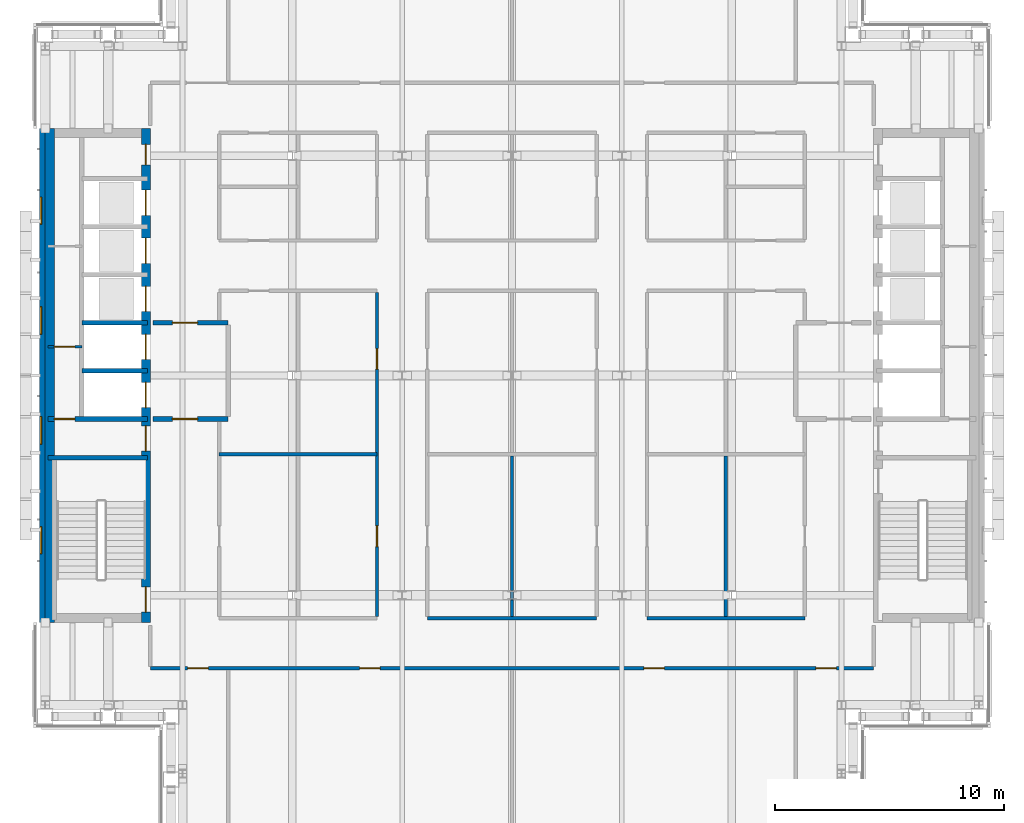
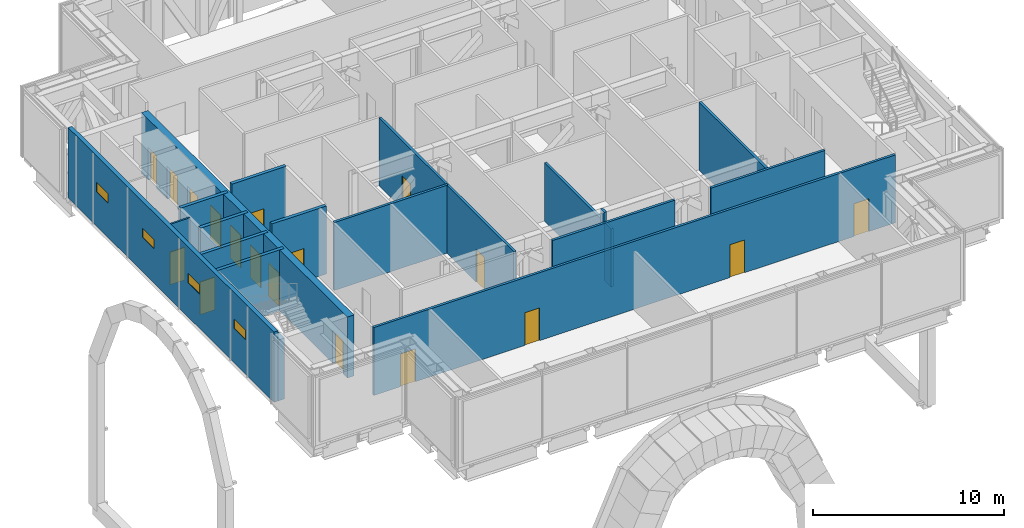
# One storey, part 11 of 26: 19 walls, 18 doors, 4 windows, 22 openings.
"""IFC4 building model written with IfcOpenShell, lengths in metres."""

from ifc_helpers import new_model, si_unit, direction, frame, frame_2d, origin, place, context, subcontext, project, spatial, rectangle, extrude, material, layer, layer_set, type_object, element, fill, save


model = new_model("IFC4")

# Units and contexts
model_context = context("Model", 3, precision=1e-05, world=origin(), true_north=direction((0.0, 1.0)))
body_context = subcontext(model_context, "Body", "Model", "MODEL_VIEW")
ifc_project = project(units=[si_unit("LENGTHUNIT", "METRE"), si_unit("AREAUNIT", "SQUARE_METRE"), si_unit("VOLUMEUNIT", "CUBIC_METRE"), si_unit("PLANEANGLEUNIT", "RADIAN"), si_unit("MASSUNIT", "GRAM", prefix="KILO")], contexts=[model_context])

# Site, building, storey
site_placement = place(None, origin())
site = spatial("IfcSite", under=ifc_project, at=site_placement, CompositionType="ELEMENT")
building_placement = place(site_placement, origin())
building = spatial("IfcBuilding", under=site, at=building_placement, Name="Cobrizo Arcos Hotel Tower", CompositionType="ELEMENT")
storey_placement = place(building_placement, frame((0.0, 0.0, 236.5)))
storey = spatial("IfcBuildingStorey", under=building, at=storey_placement, Name="L62", CompositionType="ELEMENT", Elevation=236.5)

# Wall, openings, doors
ifc_material_1 = material(Name="Gypsum board partition")
ifc_layer_1 = layer(ifc_material_1, 0.14990234375)
ifc_layer_set_1 = layer_set([ifc_layer_1], Name="Corridor wall EI 60 150")
wall_type_1 = type_object("IfcWallType", Name="Corridor wall EI 60 150", PredefinedType="PARTITIONING", material=ifc_layer_set_1)
wall_1_placement = place(storey_placement, frame((-15.800048828125, -12.800048828125, 0.0), z_axis=(0.0, 0.0, 1.0), x_axis=(1.0, 0.0, 0.0)))
wall_1 = element("IfcWall", 1, at=wall_1_placement, inside=storey, type_object=wall_type_1, Name="Partition 001", PredefinedType="PARTITIONING", context=body_context, shape_type="SweptSolid", body=[
    extrude(rectangle(XDim=31.60009765625, YDim=0.14990234375, at=frame_2d((15.800048828125, 0.0))), origin(), (0.0, 0.0, 1.0), 4.35009765625),
])
opening_1_placement = place(wall_1_placement, frame((9.14208984375, 0.0, 0.0)))
opening_1 = element("IfcOpeningElement", 2, at=opening_1_placement, cuts=wall_1, Name="Opening RD-11", PredefinedType="OPENING", context=body_context, shape_type="SweptSolid", body=[
    extrude(rectangle(XDim=0.89990234375, YDim=2.10009765625, at=frame_2d((0.449951171875, 1.050048828125))), frame((0.0, 0.0869140625, 0.0), z_axis=(0.0, -1.0, 0.0), x_axis=(1.0, 0.0, 0.0)), (0.0, 0.0, 1.0), 0.173828125),
])
opening_2_placement = place(wall_1_placement, frame((21.55908203125, 0.0, 0.0)))
opening_2 = element("IfcOpeningElement", 3, at=opening_2_placement, cuts=wall_1, Name="Opening RD-12", PredefinedType="OPENING", context=body_context, shape_type="SweptSolid", body=[
    extrude(rectangle(XDim=0.89990234375, YDim=2.10009765625, at=frame_2d((0.449951171875, 1.050048828125))), frame((0.0, 0.0869140625, 0.0), z_axis=(0.0, -1.0, 0.0), x_axis=(1.0, 0.0, 0.0)), (0.0, 0.0, 1.0), 0.173828125),
])
opening_3_placement = place(wall_1_placement, frame((1.6298828125, 0.0, 0.0)))
opening_3 = element("IfcOpeningElement", 4, at=opening_3_placement, cuts=wall_1, Name="Opening RD-13", PredefinedType="OPENING", context=body_context, shape_type="SweptSolid", body=[
    extrude(rectangle(XDim=0.89990234375, YDim=2.10009765625, at=frame_2d((0.449951171875, 1.050048828125))), frame((0.0, 0.0869140625, 0.0), z_axis=(0.0, -1.0, 0.0), x_axis=(1.0, 0.0, 0.0)), (0.0, 0.0, 1.0), 0.173828125),
])
opening_4_placement = place(wall_1_placement, frame((29.080078125, 0.0, 0.0)))
opening_4 = element("IfcOpeningElement", 5, at=opening_4_placement, cuts=wall_1, Name="Opening RD-14", PredefinedType="OPENING", context=body_context, shape_type="SweptSolid", body=[
    extrude(rectangle(XDim=0.89990234375, YDim=2.10009765625, at=frame_2d((0.449951171875, 1.050048828125))), frame((0.0, 0.0869140625, 0.0), z_axis=(0.0, -1.0, 0.0), x_axis=(1.0, 0.0, 0.0)), (0.0, 0.0, 1.0), 0.173828125),
])
ifc_material_2 = material(Name="Timber door leaf", Category="wood")
door_type_1 = type_object("IfcDoorType", Name="Room door FD30 900x2100", OperationType="SINGLE_SWING_LEFT", PredefinedType="DOOR", material=ifc_material_2)
door_1_placement = place(opening_1_placement, origin())
door_1 = element("IfcDoor", 6, at=door_1_placement, inside=storey, type_object=door_type_1, Name="Door RD-11", OperationType="SINGLE_SWING_RIGHT", OverallHeight=2.10009765625, OverallWidth=0.89990234375, PredefinedType="DOOR", context=body_context, shape_type="SweptSolid", body=[
    extrude(rectangle(XDim=0.89990234375, YDim=2.10009765625, at=frame_2d((0.449951171875, 1.050048828125))), frame((0.0, 0.02490234375, 0.0), z_axis=(0.0, -1.0, 0.0), x_axis=(1.0, 0.0, 0.0)), (0.0, 0.0, 1.0), 0.050048828125),
])
fill(opening_1, door_1)
door_2_placement = place(opening_2_placement, origin())
door_2 = element("IfcDoor", 7, at=door_2_placement, inside=storey, type_object=door_type_1, Name="Door RD-12", OperationType="SINGLE_SWING_LEFT", OverallHeight=2.10009765625, OverallWidth=0.89990234375, PredefinedType="DOOR", context=body_context, shape_type="SweptSolid", body=[
    extrude(rectangle(XDim=0.89990234375, YDim=2.10009765625, at=frame_2d((0.449951171875, 1.050048828125))), frame((0.0, 0.02490234375, 0.0), z_axis=(0.0, -1.0, 0.0), x_axis=(1.0, 0.0, 0.0)), (0.0, 0.0, 1.0), 0.050048828125),
])
fill(opening_2, door_2)
door_3_placement = place(opening_3_placement, origin())
door_3 = element("IfcDoor", 8, at=door_3_placement, inside=storey, type_object=door_type_1, Name="Door RD-13", OperationType="SINGLE_SWING_RIGHT", OverallHeight=2.10009765625, OverallWidth=0.89990234375, PredefinedType="DOOR", context=body_context, shape_type="SweptSolid", body=[
    extrude(rectangle(XDim=0.89990234375, YDim=2.10009765625, at=frame_2d((0.449951171875, 1.050048828125))), frame((0.0, 0.02490234375, 0.0), z_axis=(0.0, -1.0, 0.0), x_axis=(1.0, 0.0, 0.0)), (0.0, 0.0, 1.0), 0.050048828125),
])
fill(opening_3, door_3)
door_4_placement = place(opening_4_placement, origin())
door_4 = element("IfcDoor", 9, at=door_4_placement, inside=storey, type_object=door_type_1, Name="Door RD-14", OperationType="SINGLE_SWING_RIGHT", OverallHeight=2.10009765625, OverallWidth=0.89990234375, PredefinedType="DOOR", context=body_context, shape_type="SweptSolid", body=[
    extrude(rectangle(XDim=0.89990234375, YDim=2.10009765625, at=frame_2d((0.449951171875, 1.050048828125))), frame((0.0, 0.02490234375, 0.0), z_axis=(0.0, -1.0, 0.0), x_axis=(1.0, 0.0, 0.0)), (0.0, 0.0, 1.0), 0.050048828125),
])
fill(opening_4, door_4)

# Walls
wall_2_placement = place(storey_placement, frame((-3.699951171875, -10.60009765625, 0.0), z_axis=(0.0, 0.0, 1.0), x_axis=(1.0, 0.0, 0.0)))
element("IfcWall", 10, at=wall_2_placement, inside=storey, type_object=wall_type_1, Name="Partition 003", PredefinedType="PARTITIONING", context=body_context, shape_type="SweptSolid", body=[
    extrude(rectangle(XDim=7.39990234375, YDim=0.14990234375, at=frame_2d((3.699951171875, 0.0))), origin(), (0.0, 0.0, 1.0), 4.35009765625),
])
for number, where, z_axis, x_axis, name in (
    (11, (5.89990234375, -10.60009765625, 0.0), (0.0, 0.0, 1.0), (1.0, 0.0, 0.0), "Partition 004"),
    (12, (-12.800048828125, -3.449951171875, 0.0), (0.0, 0.0, 1.0), (1.0, 0.0, 0.0), "Partition 007"),
):
    element("IfcWall", number, at=place(storey_placement, frame(where, z_axis=z_axis, x_axis=x_axis)), inside=storey, type_object=wall_type_1, Name=name, PredefinedType="PARTITIONING", context=body_context, shape_type="SweptSolid", body=[
        extrude(rectangle(XDim=6.900146484375, YDim=0.14990234375, at=frame_2d((3.4501953125, 0.0))), origin(), (0.0, 0.0, 1.0), 4.35009765625),
    ])

# Wall, openings, doors
wall_3_placement = place(storey_placement, frame((-5.89990234375, -10.52490234375, 0.0), z_axis=(0.0, 0.0, 1.0), x_axis=(0.0, 1.0, 0.0)))
wall_3 = element("IfcWall", 13, at=wall_3_placement, inside=storey, type_object=wall_type_1, Name="Partition 055", PredefinedType="PARTITIONING", context=body_context, shape_type="SweptSolid", body=[
    extrude(rectangle(XDim=14.14990234375, YDim=0.14990234375, at=frame_2d((7.074951171875, 0.0))), origin(), (0.0, 0.0, 1.0), 4.35009765625),
])
opening_5_placement = place(wall_3_placement, frame((3.050048828125, 0.0, 0.0)))
opening_5 = element("IfcOpeningElement", 14, at=opening_5_placement, cuts=wall_3, Name="Opening RD-30", PredefinedType="OPENING", context=body_context, shape_type="SweptSolid", body=[
    extrude(rectangle(XDim=0.89990234375, YDim=2.10009765625, at=frame_2d((0.449951171875, 1.050048828125))), frame((0.0, 0.0869140625, 0.0), z_axis=(0.0, -1.0, 0.0), x_axis=(1.0, 0.0, 0.0)), (0.0, 0.0, 1.0), 0.173828125),
])
opening_6_placement = place(wall_3_placement, frame((10.800048828125, 0.0, 0.0)))
opening_6 = element("IfcOpeningElement", 15, at=opening_6_placement, cuts=wall_3, Name="Opening RD-31", PredefinedType="OPENING", context=body_context, shape_type="SweptSolid", body=[
    extrude(rectangle(XDim=0.89990234375, YDim=2.10009765625, at=frame_2d((0.449951171875, 1.050048828125))), frame((0.0, 0.0869140625, 0.0), z_axis=(0.0, -1.0, 0.0), x_axis=(1.0, 0.0, 0.0)), (0.0, 0.0, 1.0), 0.173828125),
])
door_5_placement = place(opening_5_placement, origin())
door_5 = element("IfcDoor", 16, at=door_5_placement, inside=storey, type_object=door_type_1, Name="Door RD-30", OperationType="SINGLE_SWING_LEFT", OverallHeight=2.10009765625, OverallWidth=0.89990234375, PredefinedType="DOOR", context=body_context, shape_type="SweptSolid", body=[
    extrude(rectangle(XDim=0.89990234375, YDim=2.10009765625, at=frame_2d((0.449951171875, 1.050048828125))), frame((0.0, 0.02490234375, 0.0), z_axis=(0.0, -1.0, 0.0), x_axis=(1.0, 0.0, 0.0)), (0.0, 0.0, 1.0), 0.050048828125),
])
fill(opening_5, door_5)
door_6_placement = place(opening_6_placement, origin())
door_6 = element("IfcDoor", 17, at=door_6_placement, inside=storey, type_object=door_type_1, Name="Door RD-31", OperationType="SINGLE_SWING_LEFT", OverallHeight=2.10009765625, OverallWidth=0.89990234375, PredefinedType="DOOR", context=body_context, shape_type="SweptSolid", body=[
    extrude(rectangle(XDim=0.89990234375, YDim=2.10009765625, at=frame_2d((0.449951171875, 1.050048828125))), frame((0.0, 0.02490234375, 0.0), z_axis=(0.0, -1.0, 0.0), x_axis=(1.0, 0.0, 0.0)), (0.0, 0.0, 1.0), 0.050048828125),
])
fill(opening_6, door_6)

# Walls
wall_4_placement = place(storey_placement, frame((0.0, -10.52490234375, 0.0), z_axis=(0.0, 0.0, 1.0), x_axis=(0.0, 1.0, 0.0)))
element("IfcWall", 18, at=wall_4_placement, inside=storey, type_object=wall_type_1, Name="Partition 060", PredefinedType="PARTITIONING", context=body_context, shape_type="SweptSolid", body=[
    extrude(rectangle(XDim=0.724853515625, YDim=0.14990234375, at=frame_2d((0.3623046875, 0.0))), origin(), (0.0, 0.0, 1.0), 3.72802734375),
])
wall_5_placement = place(storey_placement, frame((0.0, -9.800048828125, 0.0), z_axis=(0.0, 0.0, 1.0), x_axis=(0.0, 1.0, 0.0)))
element("IfcWall", 19, at=wall_5_placement, inside=storey, type_object=wall_type_1, Name="Partition 061", PredefinedType="PARTITIONING", context=body_context, shape_type="SweptSolid", body=[
    extrude(rectangle(XDim=0.401123046875, YDim=0.14990234375, at=frame_2d((0.20068359375, 0.0))), origin(), (0.0, 0.0, 1.0), 4.35009765625),
])
wall_6_placement = place(storey_placement, frame((0.0, -9.39892578125, 0.0), z_axis=(0.0, 0.0, 1.0), x_axis=(0.0, 1.0, 0.0)))
element("IfcWall", 20, at=wall_6_placement, inside=storey, type_object=wall_type_1, Name="Partition 062", PredefinedType="PARTITIONING", context=body_context, shape_type="SweptSolid", body=[
    extrude(rectangle(XDim=5.8740234375, YDim=0.14990234375, at=frame_2d((2.93701171875, 0.0))), origin(), (0.0, 0.0, 1.0), 3.72802734375),
])
wall_7_placement = place(storey_placement, frame((9.35009765625, -10.52490234375, 0.0), z_axis=(0.0, 0.0, 1.0), x_axis=(0.0, 1.0, 0.0)))
element("IfcWall", 21, at=wall_7_placement, inside=storey, type_object=wall_type_1, Name="Partition 074", PredefinedType="PARTITIONING", context=body_context, shape_type="SweptSolid", body=[
    extrude(rectangle(XDim=7.0, YDim=0.14990234375, at=frame_2d((3.5, 0.0))), origin(), (0.0, 0.0, 1.0), 4.35009765625),
])

# Wall, openings, windows
ifc_material_3 = material(Name="Aluminium composite panel pale metal", Category="aluminium")
ifc_layer_2 = layer(ifc_material_3, 0.25)
ifc_layer_set_2 = layer_set([ifc_layer_2], Name="EW-1 insulated panel wall 250")
wall_type_2 = type_object("IfcWallType", Name="EW-1 insulated panel wall 250", PredefinedType="SOLIDWALL", material=ifc_layer_set_2)
wall_8_placement = place(storey_placement, frame((-20.52490234375, 10.800048828125, 0.0), z_axis=(0.0, 0.0, 1.0), x_axis=(0.0, -1.0, 0.0)))
wall_8 = element("IfcWall", 22, at=wall_8_placement, inside=storey, type_object=wall_type_2, Name="Core face wall L62 W", PredefinedType="SOLIDWALL", context=body_context, shape_type="SweptSolid", body=[
    extrude(rectangle(XDim=21.60009765625, YDim=0.25, at=frame_2d((10.800048828125, 0.0))), origin(), (0.0, 0.0, 1.0), 4.5),
])
opening_7_placement = place(wall_8_placement, frame((3.0, 0.0, 2.199951171875)))
opening_7 = element("IfcOpeningElement", 23, at=opening_7_placement, cuts=wall_8, Name="Opening W-141", PredefinedType="OPENING", context=body_context, shape_type="SweptSolid", body=[
    extrude(rectangle(XDim=1.199951171875, YDim=0.60009765625, at=frame_2d((0.60009765625, 0.300048828125))), frame((0.0, 0.136962890625, 0.0), z_axis=(0.0, -1.0, 0.0), x_axis=(1.0, 0.0, 0.0)), (0.0, 0.0, 1.0), 0.27392578125),
])
opening_8_placement = place(wall_8_placement, frame((7.800048828125, 0.0, 2.199951171875)))
opening_8 = element("IfcOpeningElement", 24, at=opening_8_placement, cuts=wall_8, Name="Opening W-142", PredefinedType="OPENING", context=body_context, shape_type="SweptSolid", body=[
    extrude(rectangle(XDim=1.199951171875, YDim=0.60009765625, at=frame_2d((0.60009765625, 0.300048828125))), frame((0.0, 0.136962890625, 0.0), z_axis=(0.0, -1.0, 0.0), x_axis=(1.0, 0.0, 0.0)), (0.0, 0.0, 1.0), 0.27392578125),
])
opening_9_placement = place(wall_8_placement, frame((12.60009765625, 0.0, 2.199951171875)))
opening_9 = element("IfcOpeningElement", 25, at=opening_9_placement, cuts=wall_8, Name="Opening W-143", PredefinedType="OPENING", context=body_context, shape_type="SweptSolid", body=[
    extrude(rectangle(XDim=1.199951171875, YDim=0.60009765625, at=frame_2d((0.60009765625, 0.300048828125))), frame((0.0, 0.136962890625, 0.0), z_axis=(0.0, -1.0, 0.0), x_axis=(1.0, 0.0, 0.0)), (0.0, 0.0, 1.0), 0.27392578125),
])
opening_10_placement = place(wall_8_placement, frame((17.39990234375, 0.0, 2.199951171875)))
opening_10 = element("IfcOpeningElement", 26, at=opening_10_placement, cuts=wall_8, Name="Opening W-144", PredefinedType="OPENING", context=body_context, shape_type="SweptSolid", body=[
    extrude(rectangle(XDim=1.199951171875, YDim=0.60009765625, at=frame_2d((0.60009765625, 0.300048828125))), frame((0.0, 0.136962890625, 0.0), z_axis=(0.0, -1.0, 0.0), x_axis=(1.0, 0.0, 0.0)), (0.0, 0.0, 1.0), 0.27392578125),
])
ifc_material_4 = material(Name="Aluminium 6063-T6 and clear laminated glass", Category="aluminium")
window_type = type_object("IfcWindowType", Name="W-S1 plant smoke-vent window 1200x600", PartitioningType="SINGLE_PANEL", PredefinedType="WINDOW", material=ifc_material_4)
window_1_placement = place(opening_7_placement, origin())
window_1 = element("IfcWindow", 27, at=window_1_placement, inside=storey, type_object=window_type, Name="Core face wall L62 W window W-141", OverallHeight=0.60009765625, OverallWidth=1.199951171875, PartitioningType="SINGLE_PANEL", PredefinedType="WINDOW", context=body_context, shape_type="SweptSolid", body=[
    extrude(rectangle(XDim=1.199951171875, YDim=0.60009765625, at=frame_2d((0.60009765625, 0.300048828125))), frame((0.0, -0.034912109375, 0.0), z_axis=(0.0, -1.0, 0.0), x_axis=(1.0, 0.0, 0.0)), (0.0, 0.0, 1.0), 0.06005859375),
])
fill(opening_7, window_1)
window_2_placement = place(opening_8_placement, origin())
window_2 = element("IfcWindow", 28, at=window_2_placement, inside=storey, type_object=window_type, Name="Core face wall L62 W window W-142", OverallHeight=0.60009765625, OverallWidth=1.199951171875, PartitioningType="SINGLE_PANEL", PredefinedType="WINDOW", context=body_context, shape_type="SweptSolid", body=[
    extrude(rectangle(XDim=1.199951171875, YDim=0.60009765625, at=frame_2d((0.60009765625, 0.300048828125))), frame((0.0, -0.034912109375, 0.0), z_axis=(0.0, -1.0, 0.0), x_axis=(1.0, 0.0, 0.0)), (0.0, 0.0, 1.0), 0.06005859375),
])
fill(opening_8, window_2)
window_3_placement = place(opening_9_placement, origin())
window_3 = element("IfcWindow", 29, at=window_3_placement, inside=storey, type_object=window_type, Name="Core face wall L62 W window W-143", OverallHeight=0.60009765625, OverallWidth=1.199951171875, PartitioningType="SINGLE_PANEL", PredefinedType="WINDOW", context=body_context, shape_type="SweptSolid", body=[
    extrude(rectangle(XDim=1.199951171875, YDim=0.60009765625, at=frame_2d((0.60009765625, 0.300048828125))), frame((0.0, -0.034912109375, 0.0), z_axis=(0.0, -1.0, 0.0), x_axis=(1.0, 0.0, 0.0)), (0.0, 0.0, 1.0), 0.06005859375),
])
fill(opening_9, window_3)
window_4_placement = place(opening_10_placement, origin())
window_4 = element("IfcWindow", 30, at=window_4_placement, inside=storey, type_object=window_type, Name="Core face wall L62 W window W-144", OverallHeight=0.60009765625, OverallWidth=1.199951171875, PartitioningType="SINGLE_PANEL", PredefinedType="WINDOW", context=body_context, shape_type="SweptSolid", body=[
    extrude(rectangle(XDim=1.199951171875, YDim=0.60009765625, at=frame_2d((0.60009765625, 0.300048828125))), frame((0.0, -0.034912109375, 0.0), z_axis=(0.0, -1.0, 0.0), x_axis=(1.0, 0.0, 0.0)), (0.0, 0.0, 1.0), 0.06005859375),
])
fill(opening_10, window_4)

# Wall, opening, door
ifc_layer_3 = layer(ifc_material_1, 0.10009765625)
ifc_layer_set_3 = layer_set([ifc_layer_3], Name="Partition EI 30 100")
wall_type_3 = type_object("IfcWallType", Name="Partition EI 30 100", PredefinedType="PARTITIONING", material=ifc_layer_set_3)
wall_9_placement = place(storey_placement, frame((-20.280029296875, 1.25, 0.0), z_axis=(0.0, 0.0, 1.0), x_axis=(1.0, 0.0, 0.0)))
wall_9 = element("IfcWall", 31, at=wall_9_placement, inside=storey, type_object=wall_type_3, Name="Partition 016", PredefinedType="PARTITIONING", context=body_context, shape_type="SweptSolid", body=[
    extrude(rectangle(XDim=1.47998046875, YDim=0.10009765625, at=frame_2d((0.739990234375, 0.0))), origin(), (0.0, 0.0, 1.0), 3.89990234375),
])
opening_11_placement = place(wall_9_placement, frame((0.280029296875, 0.0, 0.0)))
opening_11 = element("IfcOpeningElement", 32, at=opening_11_placement, cuts=wall_9, Name="Opening RD-03", PredefinedType="OPENING", context=body_context, shape_type="SweptSolid", body=[
    extrude(rectangle(XDim=0.89990234375, YDim=2.10009765625, at=frame_2d((0.449951171875, 1.050048828125))), frame((0.0, 0.06201171875, 0.0), z_axis=(0.0, -1.0, 0.0), x_axis=(1.0, 0.0, 0.0)), (0.0, 0.0, 1.0), 0.1240234375),
])
door_7_placement = place(opening_11_placement, origin())
door_7 = element("IfcDoor", 33, at=door_7_placement, inside=storey, type_object=door_type_1, Name="Door RD-03", OperationType="SINGLE_SWING_RIGHT", OverallHeight=2.10009765625, OverallWidth=0.89990234375, PredefinedType="DOOR", context=body_context, shape_type="SweptSolid", body=[
    extrude(rectangle(XDim=0.89990234375, YDim=2.10009765625, at=frame_2d((0.449951171875, 1.050048828125))), frame((0.0, 0.02490234375, 0.0), z_axis=(0.0, -1.0, 0.0), x_axis=(1.0, 0.0, 0.0)), (0.0, 0.0, 1.0), 0.050048828125),
])
fill(opening_11, door_7)

# Wall, openings, doors
ifc_material_5 = material(Name="Concrete f'c 40 MPa", Category="concrete")
ifc_layer_4 = layer(ifc_material_5, 0.39990234375)
ifc_layer_set_4 = layer_set([ifc_layer_4], Name="RC core wall 400 f'c 40")
wall_type_4 = type_object("IfcWallType", Name="RC core wall 400 f'c 40", PredefinedType="SHEAR", material=ifc_layer_set_4)
wall_10_placement = place(storey_placement, frame((-16.0, -10.800048828125, 0.0), z_axis=(0.0, 0.0, 1.0), x_axis=(0.0, 1.0, 0.0)))
wall_10 = element("IfcWall", 34, at=wall_10_placement, inside=storey, type_object=wall_type_4, Name="Core wall CW4, west core, inner face, L62", PredefinedType="SHEAR", context=body_context, shape_type="SweptSolid", body=[
    extrude(rectangle(XDim=21.60009765625, YDim=0.39990234375, at=frame_2d((10.800048828125, 0.0))), origin(), (0.0, 0.0, 1.0), 3.89990234375),
])
opening_12_placement = place(wall_10_placement, frame((9.39990234375, 0.0, 0.0)))
opening_12 = element("IfcOpeningElement", 35, at=opening_12_placement, cuts=wall_10, Name="Opening LD-01", PredefinedType="OPENING", context=body_context, shape_type="SweptSolid", body=[
    extrude(rectangle(XDim=1.10009765625, YDim=2.10009765625, at=frame_2d((0.550048828125, 1.050048828125))), frame((0.0, 0.2119140625, 0.0), z_axis=(0.0, -1.0, 0.0), x_axis=(1.0, 0.0, 0.0)), (0.0, 0.0, 1.0), 0.423828125),
])
opening_13_placement = place(wall_10_placement, frame((11.5, 0.0, 0.0)))
opening_13 = element("IfcOpeningElement", 36, at=opening_13_placement, cuts=wall_10, Name="Opening LD-02", PredefinedType="OPENING", context=body_context, shape_type="SweptSolid", body=[
    extrude(rectangle(XDim=1.10009765625, YDim=2.10009765625, at=frame_2d((0.550048828125, 1.050048828125))), frame((0.0, 0.2119140625, 0.0), z_axis=(0.0, -1.0, 0.0), x_axis=(1.0, 0.0, 0.0)), (0.0, 0.0, 1.0), 0.423828125),
])
opening_14_placement = place(wall_10_placement, frame((13.60009765625, 0.0, 0.0)))
opening_14 = element("IfcOpeningElement", 37, at=opening_14_placement, cuts=wall_10, Name="Opening LD-03", PredefinedType="OPENING", context=body_context, shape_type="SweptSolid", body=[
    extrude(rectangle(XDim=1.10009765625, YDim=2.10009765625, at=frame_2d((0.550048828125, 1.050048828125))), frame((0.0, 0.2119140625, 0.0), z_axis=(0.0, -1.0, 0.0), x_axis=(1.0, 0.0, 0.0)), (0.0, 0.0, 1.0), 0.423828125),
])
opening_15_placement = place(wall_10_placement, frame((15.699951171875, 0.0, 0.0)))
opening_15 = element("IfcOpeningElement", 38, at=opening_15_placement, cuts=wall_10, Name="Opening LD-04", PredefinedType="OPENING", context=body_context, shape_type="SweptSolid", body=[
    extrude(rectangle(XDim=1.10009765625, YDim=2.10009765625, at=frame_2d((0.550048828125, 1.050048828125))), frame((0.0, 0.2119140625, 0.0), z_axis=(0.0, -1.0, 0.0), x_axis=(1.0, 0.0, 0.0)), (0.0, 0.0, 1.0), 0.423828125),
])
opening_16_placement = place(wall_10_placement, frame((17.800048828125, 0.0, 0.0)))
opening_16 = element("IfcOpeningElement", 39, at=opening_16_placement, cuts=wall_10, Name="Opening LD-05", PredefinedType="OPENING", context=body_context, shape_type="SweptSolid", body=[
    extrude(rectangle(XDim=1.10009765625, YDim=2.10009765625, at=frame_2d((0.550048828125, 1.050048828125))), frame((0.0, 0.2119140625, 0.0), z_axis=(0.0, -1.0, 0.0), x_axis=(1.0, 0.0, 0.0)), (0.0, 0.0, 1.0), 0.423828125),
])
opening_17_placement = place(wall_10_placement, frame((0.4580078125, 0.0, 0.0)))
opening_17 = element("IfcOpeningElement", 40, at=opening_17_placement, cuts=wall_10, Name="Opening SD-01", PredefinedType="OPENING", context=body_context, shape_type="SweptSolid", body=[
    extrude(rectangle(XDim=1.10009765625, YDim=2.10009765625, at=frame_2d((0.550048828125, 1.050048828125))), frame((0.0, 0.2119140625, 0.0), z_axis=(0.0, -1.0, 0.0), x_axis=(1.0, 0.0, 0.0)), (0.0, 0.0, 1.0), 0.423828125),
])
opening_18_placement = place(wall_10_placement, frame((7.5, 0.0, 0.0)))
opening_18 = element("IfcOpeningElement", 41, at=opening_18_placement, cuts=wall_10, Name="Opening FD-01", PredefinedType="OPENING", context=body_context, shape_type="SweptSolid", body=[
    extrude(rectangle(XDim=1.10009765625, YDim=2.10009765625, at=frame_2d((0.550048828125, 1.050048828125))), frame((0.0, 0.2119140625, 0.0), z_axis=(0.0, -1.0, 0.0), x_axis=(1.0, 0.0, 0.0)), (0.0, 0.0, 1.0), 0.423828125),
])
opening_19_placement = place(wall_10_placement, frame((20.0, 0.0, 0.0)))
opening_19 = element("IfcOpeningElement", 42, at=opening_19_placement, cuts=wall_10, Name="Opening RD-01", PredefinedType="OPENING", context=body_context, shape_type="SweptSolid", body=[
    extrude(rectangle(XDim=0.89990234375, YDim=2.10009765625, at=frame_2d((0.449951171875, 1.050048828125))), frame((0.0, 0.2119140625, 0.0), z_axis=(0.0, -1.0, 0.0), x_axis=(1.0, 0.0, 0.0)), (0.0, 0.0, 1.0), 0.423828125),
])
ifc_material_6 = material(Name="Steel door leaf", Category="steel")
door_type_2 = type_object("IfcDoorType", Name="Fire door FD60 1100x2100", OperationType="SINGLE_SWING_LEFT", PredefinedType="DOOR", material=ifc_material_6)
door_8_placement = place(opening_18_placement, origin())
door_8 = element("IfcDoor", 43, at=door_8_placement, inside=storey, type_object=door_type_2, Name="Door FD-01", OperationType="SINGLE_SWING_LEFT", OverallHeight=2.10009765625, OverallWidth=1.10009765625, PredefinedType="DOOR", context=body_context, shape_type="SweptSolid", body=[
    extrude(rectangle(XDim=1.10009765625, YDim=2.10009765625, at=frame_2d((0.550048828125, 1.050048828125))), frame((0.0, 0.02490234375, 0.0), z_axis=(0.0, -1.0, 0.0), x_axis=(1.0, 0.0, 0.0)), (0.0, 0.0, 1.0), 0.050048828125),
])
fill(opening_18, door_8)
door_type_3 = type_object("IfcDoorType", Name="Lift landing door 1100x2100", OperationType="SLIDING_TO_LEFT", PredefinedType="DOOR", material=ifc_material_6)
door_9_placement = place(opening_12_placement, origin())
door_9 = element("IfcDoor", 44, at=door_9_placement, inside=storey, type_object=door_type_3, Name="Lift landing door LD-01", OperationType="SLIDING_TO_LEFT", OverallHeight=2.10009765625, OverallWidth=1.10009765625, PredefinedType="DOOR", context=body_context, shape_type="SweptSolid", body=[
    extrude(rectangle(XDim=1.10009765625, YDim=2.10009765625, at=frame_2d((0.550048828125, 1.050048828125))), frame((0.0, 0.02490234375, 0.0), z_axis=(0.0, -1.0, 0.0), x_axis=(1.0, 0.0, 0.0)), (0.0, 0.0, 1.0), 0.050048828125),
])
fill(opening_12, door_9)
door_10_placement = place(opening_13_placement, origin())
door_10 = element("IfcDoor", 45, at=door_10_placement, inside=storey, type_object=door_type_3, Name="Lift landing door LD-02", OperationType="SLIDING_TO_LEFT", OverallHeight=2.10009765625, OverallWidth=1.10009765625, PredefinedType="DOOR", context=body_context, shape_type="SweptSolid", body=[
    extrude(rectangle(XDim=1.10009765625, YDim=2.10009765625, at=frame_2d((0.550048828125, 1.050048828125))), frame((0.0, 0.02490234375, 0.0), z_axis=(0.0, -1.0, 0.0), x_axis=(1.0, 0.0, 0.0)), (0.0, 0.0, 1.0), 0.050048828125),
])
fill(opening_13, door_10)
door_11_placement = place(opening_14_placement, origin())
door_11 = element("IfcDoor", 46, at=door_11_placement, inside=storey, type_object=door_type_3, Name="Lift landing door LD-03", OperationType="SLIDING_TO_LEFT", OverallHeight=2.10009765625, OverallWidth=1.10009765625, PredefinedType="DOOR", context=body_context, shape_type="SweptSolid", body=[
    extrude(rectangle(XDim=1.10009765625, YDim=2.10009765625, at=frame_2d((0.550048828125, 1.050048828125))), frame((0.0, 0.02490234375, 0.0), z_axis=(0.0, -1.0, 0.0), x_axis=(1.0, 0.0, 0.0)), (0.0, 0.0, 1.0), 0.050048828125),
])
fill(opening_14, door_11)
door_12_placement = place(opening_15_placement, origin())
door_12 = element("IfcDoor", 47, at=door_12_placement, inside=storey, type_object=door_type_3, Name="Lift landing door LD-04", OperationType="SLIDING_TO_LEFT", OverallHeight=2.10009765625, OverallWidth=1.10009765625, PredefinedType="DOOR", context=body_context, shape_type="SweptSolid", body=[
    extrude(rectangle(XDim=1.10009765625, YDim=2.10009765625, at=frame_2d((0.550048828125, 1.050048828125))), frame((0.0, 0.02490234375, 0.0), z_axis=(0.0, -1.0, 0.0), x_axis=(1.0, 0.0, 0.0)), (0.0, 0.0, 1.0), 0.050048828125),
])
fill(opening_15, door_12)
door_13_placement = place(opening_16_placement, origin())
door_13 = element("IfcDoor", 48, at=door_13_placement, inside=storey, type_object=door_type_3, Name="Lift landing door LD-05", OperationType="SLIDING_TO_LEFT", OverallHeight=2.10009765625, OverallWidth=1.10009765625, PredefinedType="DOOR", context=body_context, shape_type="SweptSolid", body=[
    extrude(rectangle(XDim=1.10009765625, YDim=2.10009765625, at=frame_2d((0.550048828125, 1.050048828125))), frame((0.0, 0.02490234375, 0.0), z_axis=(0.0, -1.0, 0.0), x_axis=(1.0, 0.0, 0.0)), (0.0, 0.0, 1.0), 0.050048828125),
])
fill(opening_16, door_13)
door_14_placement = place(opening_19_placement, origin())
door_14 = element("IfcDoor", 49, at=door_14_placement, inside=storey, type_object=door_type_1, Name="Door RD-01", OperationType="SINGLE_SWING_LEFT", OverallHeight=2.10009765625, OverallWidth=0.89990234375, PredefinedType="DOOR", context=body_context, shape_type="SweptSolid", body=[
    extrude(rectangle(XDim=0.89990234375, YDim=2.10009765625, at=frame_2d((0.449951171875, 1.050048828125))), frame((0.0, 0.02490234375, 0.0), z_axis=(0.0, -1.0, 0.0), x_axis=(1.0, 0.0, 0.0)), (0.0, 0.0, 1.0), 0.050048828125),
])
fill(opening_19, door_14)
door_type_4 = type_object("IfcDoorType", Name="Stair door FD60S 1100x2100", OperationType="SINGLE_SWING_LEFT", PredefinedType="DOOR", material=ifc_material_6)
door_15_placement = place(opening_17_placement, origin())
door_15 = element("IfcDoor", 50, at=door_15_placement, inside=storey, type_object=door_type_4, Name="Door SD-01", OperationType="SINGLE_SWING_RIGHT", OverallHeight=2.10009765625, OverallWidth=1.10009765625, PredefinedType="DOOR", context=body_context, shape_type="SweptSolid", body=[
    extrude(rectangle(XDim=1.10009765625, YDim=2.10009765625, at=frame_2d((0.550048828125, 1.050048828125))), frame((0.0, 0.02490234375, 0.0), z_axis=(0.0, -1.0, 0.0), x_axis=(1.0, 0.0, 0.0)), (0.0, 0.0, 1.0), 0.050048828125),
])
fill(opening_17, door_15)

# Wall
wall_11_placement = place(storey_placement, frame((-20.199951171875, -10.800048828125, 0.0), z_axis=(0.0, 0.0, 1.0), x_axis=(0.0, 1.0, 0.0)))
element("IfcWall", 51, at=wall_11_placement, inside=storey, type_object=wall_type_4, Name="Core wall CW4, west core, outer face, L62", PredefinedType="SHEAR", context=body_context, shape_type="SweptSolid", body=[
    extrude(rectangle(XDim=21.60009765625, YDim=0.39990234375, at=frame_2d((10.800048828125, 0.0))), origin(), (0.0, 0.0, 1.0), 3.89990234375),
])

# Wall, opening, door
ifc_layer_5 = layer(ifc_material_1, 0.199951171875)
ifc_layer_set_5 = layer_set([ifc_layer_5], Name="Shaft wall EI 120 200")
wall_type_5 = type_object("IfcWallType", Name="Shaft wall EI 120 200", PredefinedType="PARTITIONING", material=ifc_layer_set_5)
wall_12_placement = place(storey_placement, frame((-20.280029296875, -1.89990234375, 0.0), z_axis=(0.0, 0.0, 1.0), x_axis=(1.0, 0.0, 0.0)))
wall_12 = element("IfcWall", 52, at=wall_12_placement, inside=storey, type_object=wall_type_5, Name="Partition 010", PredefinedType="PARTITIONING", context=body_context, shape_type="SweptSolid", body=[
    extrude(rectangle(XDim=4.360107421875, YDim=0.199951171875, at=frame_2d((2.18017578125, 0.0))), origin(), (0.0, 0.0, 1.0), 3.89990234375),
])
opening_20_placement = place(wall_12_placement, frame((0.280029296875, 0.0, 0.0)))
opening_20 = element("IfcOpeningElement", 53, at=opening_20_placement, cuts=wall_12, Name="Opening RD-02", PredefinedType="OPENING", context=body_context, shape_type="SweptSolid", body=[
    extrude(rectangle(XDim=0.89990234375, YDim=2.10009765625, at=frame_2d((0.449951171875, 1.050048828125))), frame((0.0, 0.112060546875, 0.0), z_axis=(0.0, -1.0, 0.0), x_axis=(1.0, 0.0, 0.0)), (0.0, 0.0, 1.0), 0.223876953125),
])
door_16_placement = place(opening_20_placement, origin())
door_16 = element("IfcDoor", 54, at=door_16_placement, inside=storey, type_object=door_type_1, Name="Door RD-02", OperationType="SINGLE_SWING_LEFT", OverallHeight=2.10009765625, OverallWidth=0.89990234375, PredefinedType="DOOR", context=body_context, shape_type="SweptSolid", body=[
    extrude(rectangle(XDim=0.89990234375, YDim=2.10009765625, at=frame_2d((0.449951171875, 1.050048828125))), frame((0.0, 0.02490234375, 0.0), z_axis=(0.0, -1.0, 0.0), x_axis=(1.0, 0.0, 0.0)), (0.0, 0.0, 1.0), 0.050048828125),
])
fill(opening_20, door_16)

wall_13_placement = place(storey_placement, frame((-15.679931640625, -1.89990234375, 0.0), z_axis=(0.0, 0.0, 1.0), x_axis=(1.0, 0.0, 0.0)))
wall_13 = element("IfcWall", 55, at=wall_13_placement, inside=storey, type_object=wall_type_5, Name="Partition 011", PredefinedType="PARTITIONING", context=body_context, shape_type="SweptSolid", body=[
    extrude(rectangle(XDim=3.280029296875, YDim=0.199951171875, at=frame_2d((1.64013671875, 0.0))), origin(), (0.0, 0.0, 1.0), 4.35009765625),
])
opening_21_placement = place(wall_13_placement, frame((0.840087890625, 0.0, 0.0)))
opening_21 = element("IfcOpeningElement", 56, at=opening_21_placement, cuts=wall_13, Name="Opening FD-03", PredefinedType="OPENING", context=body_context, shape_type="SweptSolid", body=[
    extrude(rectangle(XDim=1.10009765625, YDim=2.10009765625, at=frame_2d((0.550048828125, 1.050048828125))), frame((0.0, 0.112060546875, 0.0), z_axis=(0.0, -1.0, 0.0), x_axis=(1.0, 0.0, 0.0)), (0.0, 0.0, 1.0), 0.223876953125),
])
door_17_placement = place(opening_21_placement, origin())
door_17 = element("IfcDoor", 57, at=door_17_placement, inside=storey, type_object=door_type_2, Name="Door FD-03", OperationType="SINGLE_SWING_LEFT", OverallHeight=2.10009765625, OverallWidth=1.10009765625, PredefinedType="DOOR", context=body_context, shape_type="SweptSolid", body=[
    extrude(rectangle(XDim=1.10009765625, YDim=2.10009765625, at=frame_2d((0.550048828125, 1.050048828125))), frame((0.0, 0.02490234375, 0.0), z_axis=(0.0, -1.0, 0.0), x_axis=(1.0, 0.0, 0.0)), (0.0, 0.0, 1.0), 0.050048828125),
])
fill(opening_21, door_17)

# Walls
for number, where, z_axis, x_axis, name in (
    (58, (-18.800048828125, 0.199951171875, 0.0), (0.0, 0.0, 1.0), (1.0, 0.0, 0.0), "Partition 014"),
    (59, (-18.800048828125, 2.300048828125, 0.0), (0.0, 0.0, 1.0), (1.0, 0.0, 0.0), "Partition 018"),
):
    element("IfcWall", number, at=place(storey_placement, frame(where, z_axis=z_axis, x_axis=x_axis)), inside=storey, type_object=wall_type_5, Name=name, PredefinedType="PARTITIONING", context=body_context, shape_type="SweptSolid", body=[
        extrude(rectangle(XDim=2.880126953125, YDim=0.199951171875, at=frame_2d((1.43994140625, 0.0))), origin(), (0.0, 0.0, 1.0), 3.89990234375),
    ])

# Wall, opening, door
wall_14_placement = place(storey_placement, frame((-15.679931640625, 2.300048828125, 0.0), z_axis=(0.0, 0.0, 1.0), x_axis=(1.0, 0.0, 0.0)))
wall_14 = element("IfcWall", 60, at=wall_14_placement, inside=storey, type_object=wall_type_5, Name="Partition 019", PredefinedType="PARTITIONING", context=body_context, shape_type="SweptSolid", body=[
    extrude(rectangle(XDim=3.280029296875, YDim=0.199951171875, at=frame_2d((1.64013671875, 0.0))), origin(), (0.0, 0.0, 1.0), 4.35009765625),
])
opening_22_placement = place(wall_14_placement, frame((0.840087890625, 0.0, 0.0)))
opening_22 = element("IfcOpeningElement", 61, at=opening_22_placement, cuts=wall_14, Name="Opening FD-02", PredefinedType="OPENING", context=body_context, shape_type="SweptSolid", body=[
    extrude(rectangle(XDim=1.10009765625, YDim=2.10009765625, at=frame_2d((0.550048828125, 1.050048828125))), frame((0.0, 0.112060546875, 0.0), z_axis=(0.0, -1.0, 0.0), x_axis=(1.0, 0.0, 0.0)), (0.0, 0.0, 1.0), 0.223876953125),
])
door_18_placement = place(opening_22_placement, origin())
door_18 = element("IfcDoor", 62, at=door_18_placement, inside=storey, type_object=door_type_2, Name="Door FD-02", OperationType="SINGLE_SWING_LEFT", OverallHeight=2.10009765625, OverallWidth=1.10009765625, PredefinedType="DOOR", context=body_context, shape_type="SweptSolid", body=[
    extrude(rectangle(XDim=1.10009765625, YDim=2.10009765625, at=frame_2d((0.550048828125, 1.050048828125))), frame((0.0, 0.02490234375, 0.0), z_axis=(0.0, -1.0, 0.0), x_axis=(1.0, 0.0, 0.0)), (0.0, 0.0, 1.0), 0.050048828125),
])
fill(opening_22, door_18)

# Wall
ifc_layer_6 = layer(ifc_material_5, 0.199951171875)
ifc_layer_set_6 = layer_set([ifc_layer_6], Name="Stair shaft wall 200")
wall_type_6 = type_object("IfcWallType", Name="Stair shaft wall 200", PredefinedType="SHEAR", material=ifc_layer_set_6)
wall_15_placement = place(storey_placement, frame((-20.280029296875, -3.60009765625, 0.0), z_axis=(0.0, 0.0, 1.0), x_axis=(1.0, 0.0, 0.0)))
element("IfcWall", 63, at=wall_15_placement, inside=storey, type_object=wall_type_6, Name="Stair shaft wall W", PredefinedType="SHEAR", context=body_context, shape_type="SweptSolid", body=[
    extrude(rectangle(XDim=4.360107421875, YDim=0.199951171875, at=frame_2d((2.18017578125, 0.0))), origin(), (0.0, 0.0, 1.0), 3.89990234375),
])

save(model, "model.ifc")
